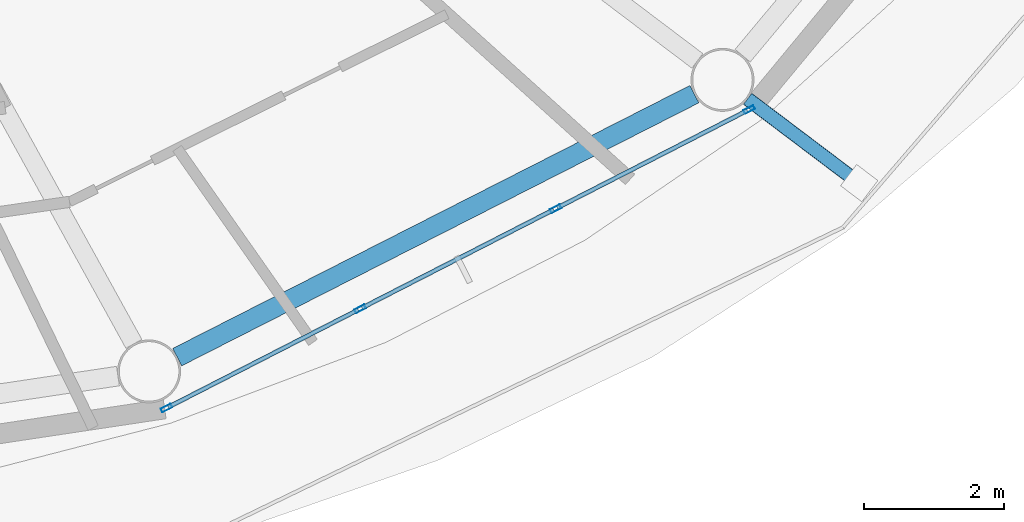
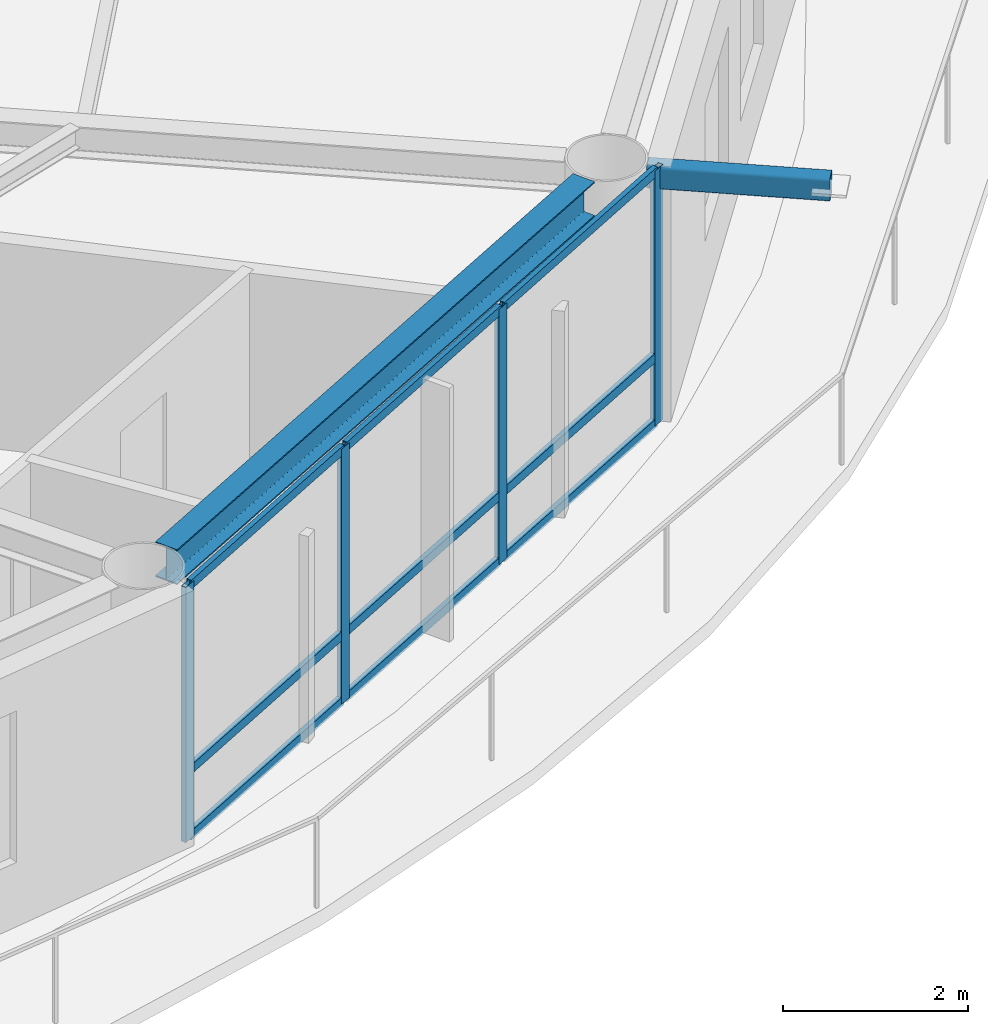
# One storey, part 5 of 22: 14 members, 1 beam, 1 element without a shape of its own.
"""IFC4 building model written with IfcOpenShell, lengths in metres."""

from ifc_helpers import new_model, si_unit, direction, frame, origin, origin_2d, place, context, subcontext, project, spatial, hollow_rectangle, i_section, extrude, material, layer, layer_set, material_profile, profile_set, type_object, element, aggregate, save


model = new_model("IFC4")

# Units and contexts
model_context = context("Model", 3, precision=1e-05, world=origin(), true_north=direction((0.0, 1.0)))
body_context = subcontext(model_context, "Body", "Model", "MODEL_VIEW")
ifc_project = project(units=[si_unit("LENGTHUNIT", "METRE"), si_unit("AREAUNIT", "SQUARE_METRE"), si_unit("VOLUMEUNIT", "CUBIC_METRE"), si_unit("PLANEANGLEUNIT", "RADIAN"), si_unit("MASSUNIT", "GRAM", prefix="KILO")], contexts=[model_context])

# Site, building, storey
site_placement = place(None, origin())
site = spatial("IfcSite", under=ifc_project, at=site_placement, CompositionType="ELEMENT")
building_placement = place(site_placement, origin())
building = spatial("IfcBuilding", under=site, at=building_placement, Name="Sarneth Arch Tower", CompositionType="ELEMENT")
storey_placement = place(building_placement, frame((0.0, 0.0, 298.199951171875)))
storey = spatial("IfcBuildingStorey", under=building, at=storey_placement, Name="L77", CompositionType="ELEMENT", Elevation=298.199951171875)

# Beam
ifc_material_1 = material(Name="Steel S355", Category="steel")
ifc_material_profile_1 = material_profile(ifc_material_1, i_section(OverallWidth=0.280029296875, OverallDepth=0.462890625, WebThickness=0.0107421875, FlangeThickness=0.017333984375, FilletRadius=0.01806640625, at=origin_2d()), Name="W460x113")
ifc_profile_set_1 = profile_set([ifc_material_profile_1], Name="Steel S355")
beam_type = type_object("IfcBeamType", Name="BM-RAD-460A", PredefinedType="BEAM", material=ifc_profile_set_1)
beam_placement = place(storey_placement, frame((58.19189453125, 24.465576171875, 3.138427734375), z_axis=(0.891376248079, 0.453264144138, 0.0), x_axis=(-0.453264144138, 0.891376248079, 0.0)))
element("IfcBeam", 1, at=beam_placement, inside=storey, type_object=beam_type, Name="L77 Perimeter spandrel beam 14", PredefinedType="BEAM", context=body_context, shape_type="SweptSolid", body=[
    extrude(i_section(OverallWidth=0.280029296875, OverallDepth=0.462890625, WebThickness=0.0107421875, FlangeThickness=0.017333984375, FilletRadius=0.01806640625, at=origin_2d()), origin(), (0.0, 0.0, 1.0), 8.281982421875),
])

# Curtain wall, members
ifc_material_2 = material(Name="Anodised aluminium Type AA25 and solar-control low-e laminated IGU", Category="aluminium")
ifc_layer = layer(ifc_material_2, 0.179931640625)
ifc_layer_set = layer_set([ifc_layer], Name="Anodised aluminium Type AA25 and solar-control low-e laminated IGU")
curtain_wall_type = type_object("IfcCurtainWallType", Name="CW-RES-HIGH", PredefinedType="NOTDEFINED", material=ifc_layer_set)
curtain_wall_placement = place(storey_placement, origin())
curtain_wall = element("IfcCurtainWall", 2, at=curtain_wall_placement, inside=storey, type_object=curtain_wall_type, Name="L77 Unitised curtain wall facet 14", PredefinedType="NOTDEFINED")
ifc_material_3 = material(Name="Anodised Aluminium 6063-T6", Category="aluminium")
ifc_material_profile_2 = material_profile(ifc_material_3, hollow_rectangle(XDim=0.06005859375, YDim=0.159912109375, WallThickness=0.00390625, at=origin_2d()), Name="AL-MULL-160x60x4")
ifc_profile_set_2 = profile_set([ifc_material_profile_2], Name="Anodised Aluminium 6063-T6")
member_type_1 = type_object("IfcMemberType", Name="CW-MULLION", PredefinedType="MULLION", material=ifc_profile_set_2)
member_1_placement = place(storey_placement, frame((58.039306640625, 23.7392578125, 0.0), z_axis=(0.0, 0.0, 1.0), x_axis=(-0.455941901753, 0.890009540525, 0.0)))
member_1 = element("IfcMember", 3, at=member_1_placement, type_object=member_type_1, Name="CW-SYS-6 mullion 1", PredefinedType="MULLION", context=body_context, shape_type="SweptSolid", body=[
    extrude(hollow_rectangle(XDim=0.06005859375, YDim=0.159912109375, WallThickness=0.00390625, at=origin_2d()), origin(), (0.0, 0.0, 1.0), 3.3701171875),
])
member_2_placement = place(storey_placement, frame((60.802490234375, 25.155029296875, 0.0), z_axis=(0.0, 0.0, 1.0), x_axis=(-0.455941901753, 0.890009540525, 0.0)))
member_2 = element("IfcMember", 4, at=member_2_placement, type_object=member_type_1, Name="CW-SYS-6 mullion 2", PredefinedType="MULLION", context=body_context, shape_type="SweptSolid", body=[
    extrude(hollow_rectangle(XDim=0.06005859375, YDim=0.159912109375, WallThickness=0.00390625, at=origin_2d()), origin(), (0.0, 0.0, 1.0), 3.3701171875),
])
member_3_placement = place(storey_placement, frame((63.592529296875, 26.584228515625, 0.0), z_axis=(0.0, 0.0, 1.0), x_axis=(-0.455941901753, 0.890009540525, 0.0)))
member_3 = element("IfcMember", 5, at=member_3_placement, type_object=member_type_1, Name="CW-SYS-6 mullion 3", PredefinedType="MULLION", context=body_context, shape_type="SweptSolid", body=[
    extrude(hollow_rectangle(XDim=0.06005859375, YDim=0.159912109375, WallThickness=0.00390625, at=origin_2d()), origin(), (0.0, 0.0, 1.0), 3.3701171875),
])
member_4_placement = place(storey_placement, frame((66.355712890625, 27.999755859375, 0.0), z_axis=(0.0, 0.0, 1.0), x_axis=(-0.455941901753, 0.890009540525, 0.0)))
member_4 = element("IfcMember", 6, at=member_4_placement, type_object=member_type_1, Name="CW-SYS-6 mullion 4", PredefinedType="MULLION", context=body_context, shape_type="SweptSolid", body=[
    extrude(hollow_rectangle(XDim=0.06005859375, YDim=0.159912109375, WallThickness=0.00390625, at=origin_2d()), origin(), (0.0, 0.0, 1.0), 3.3701171875),
])
ifc_material_4 = material(Name="Anodised Aluminium 6063-T6", Category="aluminium")
ifc_material_profile_3 = material_profile(ifc_material_4, hollow_rectangle(XDim=0.06005859375, YDim=0.1201171875, WallThickness=0.00390625, at=origin_2d()), Name="AL-TRAN-120x60x4")
ifc_profile_set_3 = profile_set([ifc_material_profile_3], Name="Anodised Aluminium 6063-T6")
member_type_2 = type_object("IfcMemberType", Name="CW-TRANSOM", PredefinedType="USERDEFINED", material=ifc_profile_set_3)
member_5_placement = place(storey_placement, frame((58.066162109375, 23.7529296875, 0.030029296875), z_axis=(0.889973523166, 0.456012201662, 0.0), x_axis=(-0.456012201662, 0.889973523166, 0.0)))
member_5 = element("IfcMember", 7, at=member_5_placement, type_object=member_type_2, Name="CW-SYS-6 transom 1.1", ObjectType="TRANSOM", PredefinedType="USERDEFINED", context=body_context, shape_type="SweptSolid", body=[
    extrude(hollow_rectangle(XDim=0.06005859375, YDim=0.1201171875, WallThickness=0.00390625, at=origin_2d()), origin(), (0.0, 0.0, 1.0), 3.044677734375),
])
member_6_placement = place(storey_placement, frame((58.066162109375, 23.7529296875, 0.900146484375), z_axis=(0.889973523166, 0.456012201662, 0.0), x_axis=(-0.456012201662, 0.889973523166, 0.0)))
member_6 = element("IfcMember", 8, at=member_6_placement, type_object=member_type_2, Name="CW-SYS-6 transom 1.2", ObjectType="TRANSOM", PredefinedType="USERDEFINED", context=body_context, shape_type="SweptSolid", body=[
    extrude(hollow_rectangle(XDim=0.06005859375, YDim=0.1201171875, WallThickness=0.00390625, at=origin_2d()), origin(), (0.0, 0.0, 1.0), 3.044677734375),
])
member_7_placement = place(storey_placement, frame((58.066162109375, 23.7529296875, 3.340087890625), z_axis=(0.889973523166, 0.456012201662, 0.0), x_axis=(-0.456012201662, 0.889973523166, 0.0)))
member_7 = element("IfcMember", 9, at=member_7_placement, type_object=member_type_2, Name="CW-SYS-6 transom 1.3", ObjectType="TRANSOM", PredefinedType="USERDEFINED", context=body_context, shape_type="SweptSolid", body=[
    extrude(hollow_rectangle(XDim=0.06005859375, YDim=0.1201171875, WallThickness=0.00390625, at=origin_2d()), origin(), (0.0, 0.0, 1.0), 3.044677734375),
])
member_8_placement = place(storey_placement, frame((60.829345703125, 25.168701171875, 0.030029296875), z_axis=(0.890017432405, 0.455926496286, 0.0), x_axis=(-0.455926496286, 0.890017432405, 0.0)))
member_8 = element("IfcMember", 10, at=member_8_placement, type_object=member_type_2, Name="CW-SYS-6 transom 2.1", ObjectType="TRANSOM", PredefinedType="USERDEFINED", context=body_context, shape_type="SweptSolid", body=[
    extrude(hollow_rectangle(XDim=0.06005859375, YDim=0.1201171875, WallThickness=0.00390625, at=origin_2d()), origin(), (0.0, 0.0, 1.0), 3.07470703125),
])
member_9_placement = place(storey_placement, frame((60.829345703125, 25.168701171875, 0.900146484375), z_axis=(0.890017432405, 0.455926496286, 0.0), x_axis=(-0.455926496286, 0.890017432405, 0.0)))
member_9 = element("IfcMember", 11, at=member_9_placement, type_object=member_type_2, Name="CW-SYS-6 transom 2.2", ObjectType="TRANSOM", PredefinedType="USERDEFINED", context=body_context, shape_type="SweptSolid", body=[
    extrude(hollow_rectangle(XDim=0.06005859375, YDim=0.1201171875, WallThickness=0.00390625, at=origin_2d()), origin(), (0.0, 0.0, 1.0), 3.07470703125),
])
member_10_placement = place(storey_placement, frame((60.829345703125, 25.168701171875, 3.340087890625), z_axis=(0.890017432405, 0.455926496286, 0.0), x_axis=(-0.455926496286, 0.890017432405, 0.0)))
member_10 = element("IfcMember", 12, at=member_10_placement, type_object=member_type_2, Name="CW-SYS-6 transom 2.3", ObjectType="TRANSOM", PredefinedType="USERDEFINED", context=body_context, shape_type="SweptSolid", body=[
    extrude(hollow_rectangle(XDim=0.06005859375, YDim=0.1201171875, WallThickness=0.00390625, at=origin_2d()), origin(), (0.0, 0.0, 1.0), 3.07470703125),
])
member_11_placement = place(storey_placement, frame((63.619140625, 26.597900390625, 0.030029296875), z_axis=(0.890022732705, 0.455916149384, 0.0), x_axis=(-0.455916149384, 0.890022732705, 0.0)))
member_11 = element("IfcMember", 13, at=member_11_placement, type_object=member_type_2, Name="CW-SYS-6 transom 3.1", ObjectType="TRANSOM", PredefinedType="USERDEFINED", context=body_context, shape_type="SweptSolid", body=[
    extrude(hollow_rectangle(XDim=0.06005859375, YDim=0.1201171875, WallThickness=0.00390625, at=origin_2d()), origin(), (0.0, 0.0, 1.0), 3.044921875),
])
member_12_placement = place(storey_placement, frame((63.619140625, 26.597900390625, 0.900146484375), z_axis=(0.890022732705, 0.455916149384, 0.0), x_axis=(-0.455916149384, 0.890022732705, 0.0)))
member_12 = element("IfcMember", 14, at=member_12_placement, type_object=member_type_2, Name="CW-SYS-6 transom 3.2", ObjectType="TRANSOM", PredefinedType="USERDEFINED", context=body_context, shape_type="SweptSolid", body=[
    extrude(hollow_rectangle(XDim=0.06005859375, YDim=0.1201171875, WallThickness=0.00390625, at=origin_2d()), origin(), (0.0, 0.0, 1.0), 3.044921875),
])
member_13_placement = place(storey_placement, frame((63.619140625, 26.597900390625, 3.340087890625), z_axis=(0.890022732705, 0.455916149384, 0.0), x_axis=(-0.455916149384, 0.890022732705, 0.0)))
member_13 = element("IfcMember", 15, at=member_13_placement, type_object=member_type_2, Name="CW-SYS-6 transom 3.3", ObjectType="TRANSOM", PredefinedType="USERDEFINED", context=body_context, shape_type="SweptSolid", body=[
    extrude(hollow_rectangle(XDim=0.06005859375, YDim=0.1201171875, WallThickness=0.00390625, at=origin_2d()), origin(), (0.0, 0.0, 1.0), 3.044921875),
])
aggregate(curtain_wall, [member_1, member_2, member_3, member_4, member_5, member_6, member_7, member_8, member_9, member_10, member_11, member_12, member_13])

# Member
ifc_material_5 = material(Name="Steel S355", Category="steel")
ifc_material_profile_4 = material_profile(ifc_material_5, hollow_rectangle(XDim=0.199951171875, YDim=0.300048828125, WallThickness=0.012451171875, InnerFilletRadius=0.018798828125, OuterFilletRadius=0.03125, at=origin_2d()), Name="RHS300x200x12.5")
ifc_profile_set_4 = profile_set([ifc_material_profile_4], Name="Steel S355")
member_type_3 = type_object("IfcMemberType", Name="MEM-CANT-STRUT", PredefinedType="STRUT", material=ifc_profile_set_4)
member_14_placement = place(storey_placement, frame((66.334228515625, 28.15234375, 3.2099609375), z_axis=(0.798013752701, -0.602639237438, 0.0), x_axis=(0.602639237438, 0.798013752701, 0.0)))
element("IfcMember", 16, at=member_14_placement, inside=storey, type_object=member_type_3, Name="L77 Balcony cantilever bracket 15", PredefinedType="STRUT", context=body_context, shape_type="SweptSolid", body=[
    extrude(hollow_rectangle(XDim=0.199951171875, YDim=0.300048828125, WallThickness=0.012451171875, InnerFilletRadius=0.018798828125, OuterFilletRadius=0.03125, at=origin_2d()), origin(), (0.0, 0.0, 1.0), 1.99560546875),
])

save(model, "model.ifc")
